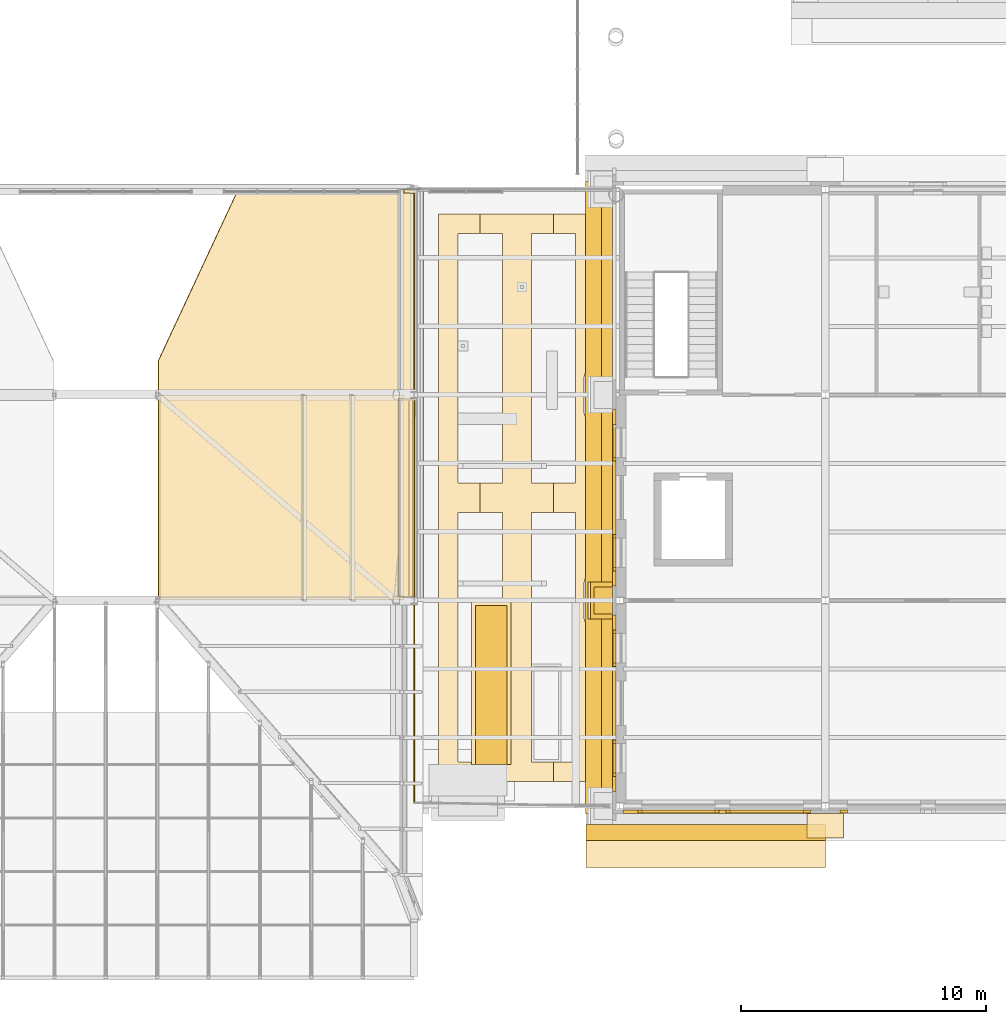
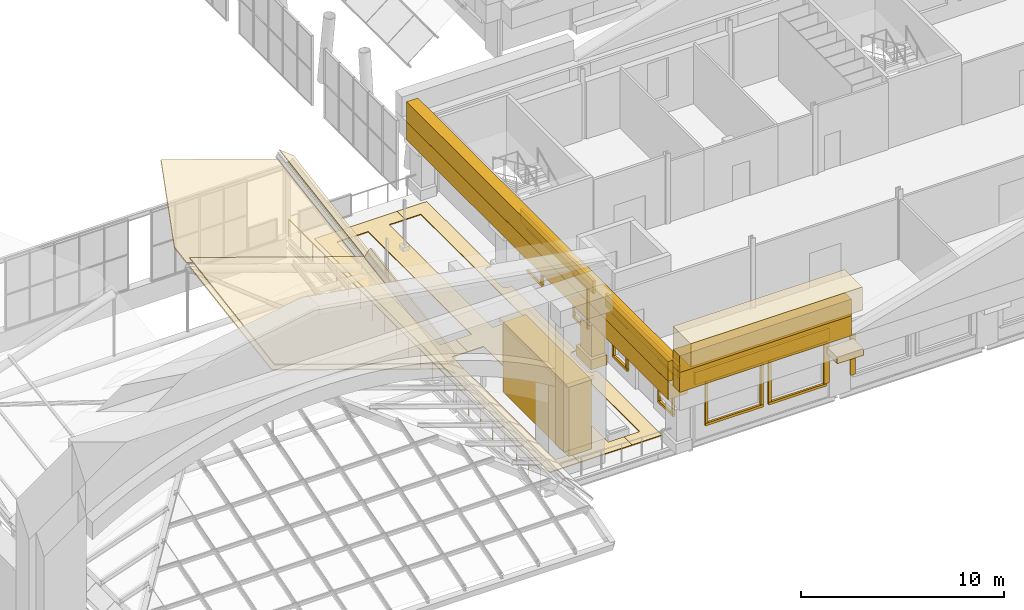
# One storey, part 59 of 76: 49 coverings, 1 railing.
"""IFC4 building model written with IfcOpenShell, lengths in metres."""

from ifc_helpers import new_model, si_unit, direction, frame, origin, origin_2d, place, context, subcontext, project, spatial, polyline, rectangle, circle, outline, extrude, material, layer, layer_set, material_profile, profile_set, type_object, element, save


model = new_model("IFC4")

# Units and contexts
model_context = context("Model", 3, precision=1e-05, world=origin(), true_north=direction((0.0, 1.0)))
body_context = subcontext(model_context, "Body", "Model", "MODEL_VIEW")
ifc_project = project(units=[si_unit("LENGTHUNIT", "METRE"), si_unit("AREAUNIT", "SQUARE_METRE"), si_unit("VOLUMEUNIT", "CUBIC_METRE"), si_unit("PLANEANGLEUNIT", "RADIAN"), si_unit("MASSUNIT", "GRAM", prefix="KILO")], contexts=[model_context])

# Site, building, storey
site_placement = place(None, origin())
site = spatial("IfcSite", under=ifc_project, at=site_placement, CompositionType="ELEMENT")
building_placement = place(site_placement, origin())
building = spatial("IfcBuilding", under=site, at=building_placement, Name="Sava Quay Ferry Terminal", CompositionType="ELEMENT")
storey_placement = place(building_placement, frame((0.0, 0.0, 10.800048828125)))
storey = spatial("IfcBuildingStorey", under=building, at=storey_placement, Name="L02", CompositionType="ELEMENT", Elevation=10.800048828125)

# Coverings
ifc_material_1 = material(Name="Limestone Mutalj", Category="masonry")
ifc_layer_1 = layer(ifc_material_1, 1.75)
ifc_layer_set_1 = layer_set([ifc_layer_1], Name="Limestone Mutalj")
covering_type_1 = type_object("IfcCoveringType", Name="Attic crown cornice 1400", PredefinedType="MOLDING", material=ifc_layer_set_1)
covering_1_placement = place(storey_placement, frame((87.510009765625, 23.56494140625, 6.39990234375), z_axis=(0.0, 0.0, 1.0), x_axis=(1.0, 0.0, 0.0)))
element("IfcCovering", 1, at=covering_1_placement, inside=storey, type_object=covering_type_1, Name="Attic crown cornice", PredefinedType="MOLDING", context=body_context, shape_type="SweptSolid", body=[
    extrude(rectangle(XDim=9.780029296875, YDim=1.75, at=origin_2d()), origin(), (0.0, 0.0, 1.0), 1.39990234375),
])
ifc_material_2 = material(Name="Limestone Mutalj", Category="masonry")
ifc_layer_2 = layer(ifc_material_2, 0.64990234375)
ifc_layer_set_2 = layer_set([ifc_layer_2], Name="Limestone Mutalj")
covering_type_2 = type_object("IfcCoveringType", Name="Attic frieze 1000", PredefinedType="CLADDING", material=ifc_layer_set_2)
covering_2_placement = place(storey_placement, frame((87.510009765625, 24.114990234375, 5.39990234375), z_axis=(0.0, 0.0, 1.0), x_axis=(1.0, 0.0, 0.0)))
element("IfcCovering", 2, at=covering_2_placement, inside=storey, type_object=covering_type_2, Name="Attic frieze", PredefinedType="CLADDING", context=body_context, shape_type="SweptSolid", body=[
    extrude(rectangle(XDim=9.780029296875, YDim=0.64990234375, at=origin_2d()), origin(), (0.0, 0.0, 1.0), 1.0),
])
ifc_material_3 = material(Name="Limestone Mutalj", Category="masonry")
ifc_layer_3 = layer(ifc_material_3, 0.64990234375)
ifc_layer_set_3 = layer_set([ifc_layer_3], Name="Limestone Mutalj")
covering_type_3 = type_object("IfcCoveringType", Name="Attic parapet 650", PredefinedType="MOLDING", material=ifc_layer_set_3)
covering_3_placement = place(storey_placement, frame((87.510009765625, 24.114990234375, 4.2001953125), z_axis=(0.0, 0.0, 1.0), x_axis=(1.0, 0.0, 0.0)))
element("IfcCovering", 3, at=covering_3_placement, inside=storey, type_object=covering_type_3, Name="Attic parapet P S", PredefinedType="MOLDING", context=body_context, shape_type="SweptSolid", body=[
    extrude(rectangle(XDim=9.780029296875, YDim=0.64990234375, at=origin_2d()), origin(), (0.0, 0.0, 1.0), 1.199951171875),
])
covering_4_placement = place(storey_placement, frame((82.925048828125, 37.800048828125, 4.2001953125), z_axis=(0.0, 0.0, 1.0), x_axis=(1.0, 0.0, 0.0)))
element("IfcCovering", 4, at=covering_4_placement, inside=storey, type_object=covering_type_3, Name="Attic parapet P W", PredefinedType="MOLDING", context=body_context, shape_type="SweptSolid", body=[
    extrude(rectangle(XDim=0.64990234375, YDim=25.820068359375, at=origin_2d()), origin(), (0.0, 0.0, 1.0), 1.199951171875),
])
ifc_material_4 = material(Name="Steel S355", Category="steel")
ifc_material_profile = material_profile(ifc_material_4, rectangle(XDim=0.14990234375, YDim=0.60009765625, at=origin_2d()), Name="Cap 150 x 600")
ifc_profile_set = profile_set([ifc_material_profile], Name="Steel S355")
covering_type_4 = type_object("IfcCoveringType", Name="Crease capping 150x600", PredefinedType="MOLDING", material=ifc_profile_set)
covering_5_placement = place(storey_placement, frame((75.31689453125, 33.468017578125, 2.858642578125), z_axis=(0.0, 0.987350755247, 0.158551209752), x_axis=(-0.881207713377, -0.074951798175, 0.466749605072)))
element("IfcCovering", 5, at=covering_5_placement, inside=storey, type_object=covering_type_4, Name="Arrivals hall crease capping bay 1 crease 4", PredefinedType="MOLDING", context=body_context, shape_type="SweptSolid", body=[
    extrude(rectangle(XDim=0.14990234375, YDim=0.60009765625, at=origin_2d()), origin(), (0.0, 0.0, 1.0), 8.507568359375),
])
ifc_material_5 = material(Name="Limestone Mutalj", Category="masonry")
ifc_layer_4 = layer(ifc_material_5, 1.10009765625)
ifc_layer_set_4 = layer_set([ifc_layer_4], Name="Limestone Mutalj")
covering_type_5 = type_object("IfcCoveringType", Name="Eaves cornice 1100", PredefinedType="MOLDING", material=ifc_layer_set_4)
covering_6_placement = place(storey_placement, frame((83.14990234375, 37.800048828125, 3.099853515625), z_axis=(0.0, 0.0, 1.0), x_axis=(1.0, 0.0, 0.0)))
element("IfcCovering", 6, at=covering_6_placement, inside=storey, type_object=covering_type_5, Name="Eaves cornice P W", PredefinedType="MOLDING", context=body_context, shape_type="SweptSolid", body=[
    extrude(rectangle(XDim=1.10009765625, YDim=25.820068359375, at=origin_2d()), origin(), (0.0, 0.0, 1.0), 1.10009765625),
])

# Railing
ifc_material_6 = material(Name="Steel S355", Category="steel")
railing_type = type_object("IfcRailingType", Name="Edge guard 1100", PredefinedType="GUARDRAIL", material=ifc_material_6)
railing_placement = place(storey_placement, frame((75.60009765625, 25.340087890625, 0.0)))
element("IfcRailing", 7, at=railing_placement, inside=storey, type_object=railing_type, Name="Terrace edge guard", PredefinedType="GUARDRAIL", context=body_context, shape_type="SweptSolid", body=[
    extrude(circle(Radius=0.02392578125, at=origin_2d()), frame((0.0, 0.0, 1.076171875), z_axis=(0.0, 1.0, 0.0), x_axis=(-1.0, 0.0, 0.0)), (0.0, 0.0, 1.0), 24.869873046875),
    extrude(circle(Radius=0.02099609375, at=origin_2d()), origin(), (0.0, 0.0, 1.0), 1.052001953125),
    extrude(circle(Radius=0.02099609375, at=origin_2d()), frame((0.0, 1.184326171875, 0.0)), (0.0, 0.0, 1.0), 1.052001953125),
    extrude(circle(Radius=0.02099609375, at=origin_2d()), frame((0.0, 2.36865234375, 0.0)), (0.0, 0.0, 1.0), 1.052001953125),
    extrude(circle(Radius=0.02099609375, at=origin_2d()), frame((0.0, 3.552734375, 0.0)), (0.0, 0.0, 1.0), 1.052001953125),
    extrude(circle(Radius=0.02099609375, at=origin_2d()), frame((0.0, 4.737060546875, 0.0)), (0.0, 0.0, 1.0), 1.052001953125),
    extrude(circle(Radius=0.02099609375, at=origin_2d()), frame((0.0, 5.92138671875, 0.0)), (0.0, 0.0, 1.0), 1.052001953125),
    extrude(circle(Radius=0.02099609375, at=origin_2d()), frame((0.0, 7.105712890625, 0.0)), (0.0, 0.0, 1.0), 1.052001953125),
    extrude(circle(Radius=0.02099609375, at=origin_2d()), frame((0.0, 8.2900390625, 0.0)), (0.0, 0.0, 1.0), 1.052001953125),
    extrude(circle(Radius=0.02099609375, at=origin_2d()), frame((0.0, 9.47412109375, 0.0)), (0.0, 0.0, 1.0), 1.052001953125),
    extrude(circle(Radius=0.02099609375, at=origin_2d()), frame((0.0, 10.658447265625, 0.0)), (0.0, 0.0, 1.0), 1.052001953125),
    extrude(circle(Radius=0.02099609375, at=origin_2d()), frame((0.0, 11.8427734375, 0.0)), (0.0, 0.0, 1.0), 1.052001953125),
    extrude(circle(Radius=0.02099609375, at=origin_2d()), frame((0.0, 13.027099609375, 0.0)), (0.0, 0.0, 1.0), 1.052001953125),
    extrude(circle(Radius=0.02099609375, at=origin_2d()), frame((0.0, 14.21142578125, 0.0)), (0.0, 0.0, 1.0), 1.052001953125),
    extrude(circle(Radius=0.02099609375, at=origin_2d()), frame((0.0, 15.395751953125, 0.0)), (0.0, 0.0, 1.0), 1.052001953125),
    extrude(circle(Radius=0.02099609375, at=origin_2d()), frame((0.0, 16.579833984375, 0.0)), (0.0, 0.0, 1.0), 1.052001953125),
    extrude(circle(Radius=0.02099609375, at=origin_2d()), frame((0.0, 17.76416015625, 0.0)), (0.0, 0.0, 1.0), 1.052001953125),
    extrude(circle(Radius=0.02099609375, at=origin_2d()), frame((0.0, 18.948486328125, 0.0)), (0.0, 0.0, 1.0), 1.052001953125),
    extrude(circle(Radius=0.02099609375, at=origin_2d()), frame((0.0, 20.1328125, 0.0)), (0.0, 0.0, 1.0), 1.052001953125),
    extrude(circle(Radius=0.02099609375, at=origin_2d()), frame((0.0, 21.317138671875, 0.0)), (0.0, 0.0, 1.0), 1.052001953125),
    extrude(circle(Radius=0.02099609375, at=origin_2d()), frame((0.0, 22.501220703125, 0.0)), (0.0, 0.0, 1.0), 1.052001953125),
    extrude(circle(Radius=0.02099609375, at=origin_2d()), frame((0.0, 23.685546875, 0.0)), (0.0, 0.0, 1.0), 1.052001953125),
    extrude(circle(Radius=0.02099609375, at=origin_2d()), frame((0.0, 24.869873046875, 0.0)), (0.0, 0.0, 1.0), 1.052001953125),
])

# Coverings
ifc_material_7 = material(Name="Limestone Mutalj", Category="masonry")
ifc_layer_5 = layer(ifc_material_7, 0.25)
ifc_layer_set_5 = layer_set([ifc_layer_5], Name="Limestone Mutalj")
covering_type_6 = type_object("IfcCoveringType", Name="Frontispiece return coping 1600", PredefinedType="MOLDING", material=ifc_layer_set_5)
covering_7_placement = place(storey_placement, frame((78.75, 30.22509765625, 4.199951171875), z_axis=(0.0, 0.0, 1.0), x_axis=(1.0, 0.0, 0.0)))
element("IfcCovering", 8, at=covering_7_placement, inside=storey, type_object=covering_type_6, Name="Frontispiece return coping", PredefinedType="MOLDING", context=body_context, shape_type="SweptSolid", body=[
    extrude(rectangle(XDim=1.60009765625, YDim=6.64990234375, at=origin_2d()), origin(), (0.0, 0.0, 1.0), 0.25),
])
ifc_material_8 = material(Name="Limestone Mutalj", Category="masonry")
ifc_layer_6 = layer(ifc_material_8, 1.300048828125)
ifc_layer_set_6 = layer_set([ifc_layer_6], Name="Limestone Mutalj")
covering_type_7 = type_object("IfcCoveringType", Name="Frontispiece return wall 1300", PredefinedType="CLADDING", material=ifc_layer_set_6)
covering_8_placement = place(storey_placement, frame((78.75, 30.14990234375, 0.0), z_axis=(0.0, 0.0, 1.0), x_axis=(1.0, 0.0, 0.0)))
element("IfcCovering", 9, at=covering_8_placement, inside=storey, type_object=covering_type_7, Name="Frontispiece return wall", PredefinedType="CLADDING", context=body_context, shape_type="SweptSolid", body=[
    extrude(rectangle(XDim=1.300048828125, YDim=6.5, at=origin_2d()), origin(), (0.0, 0.0, 1.0), 4.199951171875),
])
ifc_material_9 = material(Name="Limestone Mutalj", Category="masonry")
ifc_layer_7 = layer(ifc_material_9, 0.89990234375)
ifc_layer_set_7 = layer_set([ifc_layer_7], Name="Limestone Mutalj")
covering_type_8 = type_object("IfcCoveringType", Name="Giant-order pilaster base 1500", PredefinedType="MOLDING", material=ifc_layer_set_7)
covering_9_placement = place(storey_placement, frame((83.25, 33.60009765625, 0.0), z_axis=(0.0, 0.0, 1.0), x_axis=(1.0, 0.0, 0.0)))
element("IfcCovering", 10, at=covering_9_placement, inside=storey, type_object=covering_type_8, Name="Giant-order pilaster base", PredefinedType="MOLDING", context=body_context, shape_type="SweptSolid", body=[
    extrude(rectangle(XDim=0.89990234375, YDim=1.5, at=origin_2d()), origin(), (0.0, 0.0, 1.0), 0.60009765625),
])
ifc_material_10 = material(Name="Limestone Mutalj", Category="masonry")
ifc_layer_8 = layer(ifc_material_10, 0.75)
ifc_layer_set_8 = layer_set([ifc_layer_8], Name="Limestone Mutalj")
covering_type_9 = type_object("IfcCoveringType", Name="Giant-order pilaster shaft 1100", PredefinedType="CLADDING", material=ifc_layer_set_8)
covering_10_placement = place(storey_placement, frame((83.324951171875, 33.60009765625, 0.599853515625), z_axis=(0.0, 0.0, 1.0), x_axis=(1.0, 0.0, 0.0)))
element("IfcCovering", 11, at=covering_10_placement, inside=storey, type_object=covering_type_9, Name="Giant-order pilaster", PredefinedType="CLADDING", context=body_context, shape_type="SweptSolid", body=[
    extrude(rectangle(XDim=0.75, YDim=1.10009765625, at=origin_2d()), origin(), (0.0, 0.0, 1.0), 2.10009765625),
])
ifc_material_11 = material(Name="Glulam GL28h", Category="wood")
ifc_layer_9 = layer(ifc_material_11, 0.06005859375)
ifc_layer_set_9 = layer_set([ifc_layer_9], Name="Glulam GL28h")
covering_type_10 = type_object("IfcCoveringType", Name="Glulam soffit lining 60", PredefinedType="CEILING", material=ifc_layer_set_9)
covering_11_placement = place(storey_placement, frame((65.147216796875, 33.758056640625, 5.65380859375), z_axis=(0.321874988723, -0.150121542758, 0.934804799963), x_axis=(-4.486034e-06, 0.987349142406, 0.158561253052)))
element("IfcCovering", 12, at=covering_11_placement, inside=storey, type_object=covering_type_10, Name="Arrivals hall timber soffit lining bay 1 facet 4", PredefinedType="CEILING", context=body_context, shape_type="SweptSolid", body=[
    extrude(outline(polyline([(0.0, 0.0), (8.187581432394515, -5.551115123125783e-17), (7.651231800830863, -10.374918818149494), (-0.5363109203202302, -10.37484122969231), (0.0, 0.0)])), origin(), (0.0, 0.0, -1.0), 0.06005859375),
])
covering_12_placement = place(storey_placement, frame((74.9873046875, 33.758056640625, 2.26220703125), z_axis=(0.610789753169, -0.125557978365, 0.781774309819), x_axis=(0.0, 0.987347050037, 0.158574281593)))
element("IfcCovering", 13, at=covering_12_placement, inside=storey, type_object=covering_type_10, Name="Arrivals hall timber soffit lining bay 1 facet 5", PredefinedType="CEILING", context=body_context, shape_type="SweptSolid", body=[
    extrude(outline(polyline([(0.0, 0.0), (8.187581433189713, 0.0), (8.109997727058897, -0.7908895906873864), (-0.07758370613081611, -0.7908895906873865), (0.0, 0.0)])), origin(), (0.0, 0.0, -1.0), 0.06005859375),
])
covering_13_placement = place(storey_placement, frame((65.147216796875, 43.385986328125, 7.199951171875), z_axis=(0.321884137241, -0.150018110031, 0.934818254451), x_axis=(0.422436488802, 0.90639252696, -3.32574e-07)))
element("IfcCovering", 14, at=covering_13_placement, inside=storey, type_object=covering_type_10, Name="Arrivals hall timber soffit lining bay 2 facet 4 (lower part)", PredefinedType="CEILING", context=body_context, shape_type="SweptSolid", body=[
    extrude(outline(polyline([(0.0, 0.0), (7.564004811407468, 0.0), (10.36367864773182, -6.425904588177291), (3.0364160536410063, -10.079009806072362), (-1.1130747417531186, -0.5549173265987408), (0.0, 0.0)])), origin(), (0.0, 0.0, -1.0), 0.06005859375),
])
covering_14_placement = place(storey_placement, frame((74.9873046875, 42.157958984375, 3.611328125), z_axis=(0.610702344243, -0.125465083878, 0.781857505856), x_axis=(7.119047e-06, 0.987368920411, 0.158438047689)))
element("IfcCovering", 15, at=covering_14_placement, inside=storey, type_object=covering_type_10, Name="Arrivals hall timber soffit lining bay 2 facet 5", PredefinedType="CEILING", context=body_context, shape_type="SweptSolid", body=[
    extrude(outline(polyline([(0.0, 0.0), (8.187387949224759, -1.1102230246251565e-16), (8.109914035854457, -0.790749343307368), (-0.07751259453428681, -0.7908965575181881), (0.0, 0.0)])), origin(), (0.0, 0.0, -1.0), 0.06005859375),
])
ifc_material_12 = material(Name="Limestone Mutalj", Category="masonry")
ifc_layer_10 = layer(ifc_material_12, 0.14990234375)
ifc_layer_set_10 = layer_set([ifc_layer_10], Name="Limestone Mutalj")
covering_type_11 = type_object("IfcCoveringType", Name="Limestone string course 150", PredefinedType="CLADDING", material=ifc_layer_set_10)
covering_15_placement = place(storey_placement, frame((0.0, 0.0, 3.449951171875)))
element("IfcCovering", 16, at=covering_15_placement, inside=storey, type_object=covering_type_11, Name="String course P-S", PredefinedType="CLADDING", context=body_context, shape_type="SweptSolid", body=[
    extrude(outline(polyline([(84.1298828125, 25.0400390625), (91.800048828125, 25.0400390625), (91.800048828125, 24.889892578125), (84.1298828125, 24.889892578125), (84.1298828125, 25.0400390625)])), origin(), (0.0, 0.0, 1.0), 0.75),
])
covering_16_placement = place(storey_placement, frame((0.0, 0.0, 3.449951171875)))
element("IfcCovering", 17, at=covering_16_placement, inside=storey, type_object=covering_type_11, Name="String course P-W", PredefinedType="CLADDING", context=body_context, shape_type="SweptSolid", body=[
    extrude(outline(polyline([(83.85009765625, 25.800048828125), (83.85009765625, 33.0), (83.699951171875, 33.0), (83.699951171875, 25.800048828125), (83.85009765625, 25.800048828125)])), origin(), (0.0, 0.0, 1.0), 0.75),
])
covering_17_placement = place(storey_placement, frame((0.0, 0.0, 3.449951171875)))
element("IfcCovering", 18, at=covering_17_placement, inside=storey, type_object=covering_type_11, Name="String course P-W", PredefinedType="CLADDING", context=body_context, shape_type="SweptSolid", body=[
    extrude(outline(polyline([(83.85009765625, 34.199951171875), (83.85009765625, 41.39990234375), (83.699951171875, 41.39990234375), (83.699951171875, 34.199951171875), (83.85009765625, 34.199951171875)])), origin(), (0.0, 0.0, 1.0), 0.75),
])
ifc_material_13 = material(Name="Limestone Mutalj", Category="masonry")
ifc_layer_11 = layer(ifc_material_13, 1.0)
ifc_layer_set_11 = layer_set([ifc_layer_11], Name="Limestone Mutalj")
covering_type_12 = type_object("IfcCoveringType", Name="Pilaster capital block 1500", PredefinedType="MOLDING", material=ifc_layer_set_11)
covering_18_placement = place(storey_placement, frame((92.39990234375, 24.389892578125, 2.699951171875), z_axis=(0.0, 0.0, 1.0), x_axis=(1.0, 0.0, 0.0)))
element("IfcCovering", 19, at=covering_18_placement, inside=storey, type_object=covering_type_12, Name="Giant-order capital", PredefinedType="MOLDING", context=body_context, shape_type="SweptSolid", body=[
    extrude(rectangle(XDim=1.5, YDim=1.0, at=origin_2d()), origin(), (0.0, 0.0, 1.0), 0.39990234375),
])
covering_19_placement = place(storey_placement, frame((83.199951171875, 33.60009765625, 2.699951171875), z_axis=(0.0, 0.0, 1.0), x_axis=(1.0, 0.0, 0.0)))
element("IfcCovering", 20, at=covering_19_placement, inside=storey, type_object=covering_type_12, Name="Giant-order capital", PredefinedType="MOLDING", context=body_context, shape_type="SweptSolid", body=[
    extrude(rectangle(XDim=1.0, YDim=1.5, at=origin_2d()), origin(), (0.0, 0.0, 1.0), 0.39990234375),
])
ifc_material_14 = material(Name="Limestone Mutalj", Category="masonry")
ifc_layer_12 = layer(ifc_material_14, 0.1201171875)
ifc_layer_set_12 = layer_set([ifc_layer_12], Name="Limestone Mutalj")
covering_type_13 = type_object("IfcCoveringType", Name="Plain window architrave 150", PredefinedType="MOLDING", material=ifc_layer_set_12)
for number, where, z_axis, x_axis, name in (
    (21, (84.824951171875, 24.97998046875, 0.89990234375), (0.0, 0.0, 1.0), (1.0, 0.0, 0.0), "Plain window architrave"),
    (22, (87.97509765625, 24.97998046875, 0.89990234375), (0.0, 0.0, 1.0), (1.0, 0.0, 0.0), "Plain window architrave"),
):
    element("IfcCovering", number, at=place(storey_placement, frame(where, z_axis=z_axis, x_axis=x_axis)), inside=storey, type_object=covering_type_13, Name=name, PredefinedType="MOLDING", context=body_context, shape_type="SweptSolid", body=[
        extrude(rectangle(XDim=0.14990234375, YDim=0.1201171875, at=origin_2d()), origin(), (0.0, 0.0, 1.0), 2.39990234375),
    ])
for number, where, z_axis, x_axis, name in (
    (23, (86.39990234375, 24.97998046875, 3.300048828125), (0.0, 0.0, 1.0), (1.0, 0.0, 0.0), "Plain window architrave"),
    (24, (86.39990234375, 24.97998046875, 0.75), (0.0, 0.0, 1.0), (1.0, 0.0, 0.0), "Plain window architrave"),
):
    element("IfcCovering", number, at=place(storey_placement, frame(where, z_axis=z_axis, x_axis=x_axis)), inside=storey, type_object=covering_type_13, Name=name, PredefinedType="MOLDING", context=body_context, shape_type="SweptSolid", body=[
        extrude(rectangle(XDim=3.300048828125, YDim=0.1201171875, at=origin_2d()), origin(), (0.0, 0.0, 1.0), 0.14990234375),
    ])
covering_20_placement = place(storey_placement, frame((88.425048828125, 24.97998046875, 0.89990234375), z_axis=(0.0, 0.0, 1.0), x_axis=(1.0, 0.0, 0.0)))
element("IfcCovering", 25, at=covering_20_placement, inside=storey, type_object=covering_type_13, Name="Plain window architrave", PredefinedType="MOLDING", context=body_context, shape_type="SweptSolid", body=[
    extrude(rectangle(XDim=0.14990234375, YDim=0.1201171875, at=origin_2d()), origin(), (0.0, 0.0, 1.0), 2.39990234375),
])
covering_21_placement = place(storey_placement, frame((91.64990234375, 24.97998046875, 0.89990234375), z_axis=(0.0, 0.0, 1.0), x_axis=(1.0, 0.0, 0.0)))
element("IfcCovering", 26, at=covering_21_placement, inside=storey, type_object=covering_type_13, Name="Plain window architrave", PredefinedType="MOLDING", context=body_context, shape_type="SweptSolid", body=[
    extrude(rectangle(XDim=0.300048828125, YDim=0.1201171875, at=origin_2d()), origin(), (0.0, 0.0, 1.0), 2.39990234375),
])
for number, where, z_axis, x_axis, name in (
    (27, (90.0, 24.97998046875, 3.300048828125), (0.0, 0.0, 1.0), (1.0, 0.0, 0.0), "Plain window architrave"),
    (28, (90.0, 24.97998046875, 0.75), (0.0, 0.0, 1.0), (1.0, 0.0, 0.0), "Plain window architrave"),
):
    element("IfcCovering", number, at=place(storey_placement, frame(where, z_axis=z_axis, x_axis=x_axis)), inside=storey, type_object=covering_type_13, Name=name, PredefinedType="MOLDING", context=body_context, shape_type="SweptSolid", body=[
        extrude(rectangle(XDim=3.300048828125, YDim=0.1201171875, at=origin_2d()), origin(), (0.0, 0.0, 1.0), 0.14990234375),
    ])
covering_22_placement = place(storey_placement, frame((93.14990234375, 24.97998046875, 0.89990234375), z_axis=(0.0, 0.0, 1.0), x_axis=(1.0, 0.0, 0.0)))
element("IfcCovering", 29, at=covering_22_placement, inside=storey, type_object=covering_type_13, Name="Plain window architrave", PredefinedType="MOLDING", context=body_context, shape_type="SweptSolid", body=[
    extrude(rectangle(XDim=0.300048828125, YDim=0.1201171875, at=origin_2d()), origin(), (0.0, 0.0, 1.0), 2.39990234375),
])
for number, where, z_axis, x_axis, name in (
    (30, (83.7900390625, 26.47509765625, 0.89990234375), (0.0, 0.0, 1.0), (1.0, 0.0, 0.0), "Plain window architrave"),
    (31, (83.7900390625, 27.824951171875, 0.89990234375), (0.0, 0.0, 1.0), (1.0, 0.0, 0.0), "Plain window architrave"),
):
    element("IfcCovering", number, at=place(storey_placement, frame(where, z_axis=z_axis, x_axis=x_axis)), inside=storey, type_object=covering_type_13, Name=name, PredefinedType="MOLDING", context=body_context, shape_type="SweptSolid", body=[
        extrude(rectangle(XDim=0.1201171875, YDim=0.14990234375, at=origin_2d()), origin(), (0.0, 0.0, 1.0), 2.39990234375),
    ])
for number, where, z_axis, x_axis, name in (
    (32, (83.7900390625, 27.14990234375, 3.300048828125), (0.0, 0.0, 1.0), (1.0, 0.0, 0.0), "Plain window architrave"),
    (33, (83.7900390625, 27.14990234375, 0.75), (0.0, 0.0, 1.0), (1.0, 0.0, 0.0), "Plain window architrave"),
):
    element("IfcCovering", number, at=place(storey_placement, frame(where, z_axis=z_axis, x_axis=x_axis)), inside=storey, type_object=covering_type_13, Name=name, PredefinedType="MOLDING", context=body_context, shape_type="SweptSolid", body=[
        extrude(rectangle(XDim=0.1201171875, YDim=1.5, at=origin_2d()), origin(), (0.0, 0.0, 1.0), 0.14990234375),
    ])
for number, where, z_axis, x_axis, name in (
    (34, (83.7900390625, 30.97509765625, 0.89990234375), (0.0, 0.0, 1.0), (1.0, 0.0, 0.0), "Plain window architrave"),
    (35, (83.7900390625, 32.324951171875, 0.89990234375), (0.0, 0.0, 1.0), (1.0, 0.0, 0.0), "Plain window architrave"),
):
    element("IfcCovering", number, at=place(storey_placement, frame(where, z_axis=z_axis, x_axis=x_axis)), inside=storey, type_object=covering_type_13, Name=name, PredefinedType="MOLDING", context=body_context, shape_type="SweptSolid", body=[
        extrude(rectangle(XDim=0.1201171875, YDim=0.14990234375, at=origin_2d()), origin(), (0.0, 0.0, 1.0), 2.39990234375),
    ])
for number, where, z_axis, x_axis, name in (
    (36, (83.7900390625, 31.64990234375, 3.300048828125), (0.0, 0.0, 1.0), (1.0, 0.0, 0.0), "Plain window architrave"),
    (37, (83.7900390625, 31.64990234375, 0.75), (0.0, 0.0, 1.0), (1.0, 0.0, 0.0), "Plain window architrave"),
):
    element("IfcCovering", number, at=place(storey_placement, frame(where, z_axis=z_axis, x_axis=x_axis)), inside=storey, type_object=covering_type_13, Name=name, PredefinedType="MOLDING", context=body_context, shape_type="SweptSolid", body=[
        extrude(rectangle(XDim=0.1201171875, YDim=1.5, at=origin_2d()), origin(), (0.0, 0.0, 1.0), 0.14990234375),
    ])
for number, where, z_axis, x_axis, name in (
    (38, (83.7900390625, 34.875, 0.89990234375), (0.0, 0.0, 1.0), (1.0, 0.0, 0.0), "Plain window architrave"),
    (39, (83.7900390625, 36.22509765625, 0.89990234375), (0.0, 0.0, 1.0), (1.0, 0.0, 0.0), "Plain window architrave"),
):
    element("IfcCovering", number, at=place(storey_placement, frame(where, z_axis=z_axis, x_axis=x_axis)), inside=storey, type_object=covering_type_13, Name=name, PredefinedType="MOLDING", context=body_context, shape_type="SweptSolid", body=[
        extrude(rectangle(XDim=0.1201171875, YDim=0.14990234375, at=origin_2d()), origin(), (0.0, 0.0, 1.0), 2.39990234375),
    ])
for number, where, z_axis, x_axis, name in (
    (40, (83.7900390625, 35.550048828125, 3.300048828125), (0.0, 0.0, 1.0), (1.0, 0.0, 0.0), "Plain window architrave"),
    (41, (83.7900390625, 35.550048828125, 0.75), (0.0, 0.0, 1.0), (1.0, 0.0, 0.0), "Plain window architrave"),
):
    element("IfcCovering", number, at=place(storey_placement, frame(where, z_axis=z_axis, x_axis=x_axis)), inside=storey, type_object=covering_type_13, Name=name, PredefinedType="MOLDING", context=body_context, shape_type="SweptSolid", body=[
        extrude(rectangle(XDim=0.1201171875, YDim=1.5, at=origin_2d()), origin(), (0.0, 0.0, 1.0), 0.14990234375),
    ])
covering_23_placement = place(storey_placement, frame((83.7900390625, 39.375, 0.89990234375), z_axis=(0.0, 0.0, 1.0), x_axis=(1.0, 0.0, 0.0)))
element("IfcCovering", 42, at=covering_23_placement, inside=storey, type_object=covering_type_13, Name="Plain window architrave", PredefinedType="MOLDING", context=body_context, shape_type="SweptSolid", body=[
    extrude(rectangle(XDim=0.1201171875, YDim=0.14990234375, at=origin_2d()), origin(), (0.0, 0.0, 1.0), 2.39990234375),
])
for number, where, z_axis, x_axis, name in (
    (43, (83.7900390625, 40.050048828125, 3.300048828125), (0.0, 0.0, 1.0), (1.0, 0.0, 0.0), "Plain window architrave"),
    (44, (83.7900390625, 40.050048828125, 0.75), (0.0, 0.0, 1.0), (1.0, 0.0, 0.0), "Plain window architrave"),
):
    element("IfcCovering", number, at=place(storey_placement, frame(where, z_axis=z_axis, x_axis=x_axis)), inside=storey, type_object=covering_type_13, Name=name, PredefinedType="MOLDING", context=body_context, shape_type="SweptSolid", body=[
        extrude(rectangle(XDim=0.1201171875, YDim=1.5, at=origin_2d()), origin(), (0.0, 0.0, 1.0), 0.14990234375),
    ])
ifc_material_15 = material(Name="Zinc standing seam sheet")
ifc_layer_13 = layer(ifc_material_15, 0.0400390625)
ifc_layer_set_13 = layer_set([ifc_layer_13], Name="Zinc standing seam sheet")
covering_type_14 = type_object("IfcCoveringType", Name="Standing seam roofing 40", PredefinedType="ROOFING", material=ifc_layer_set_13)
covering_24_placement = place(storey_placement, frame((65.215087890625, 33.610107421875, 6.04541015625), z_axis=(0.321876025218, -0.150117857826, 0.934805034834), x_axis=(0.0, 0.987349999784, 0.158555914194)))
element("IfcCovering", 45, at=covering_24_placement, inside=storey, type_object=covering_type_14, Name="Arrivals hall roofing bay 1 facet 4", PredefinedType="ROOFING", context=body_context, shape_type="SweptSolid", body=[
    extrude(outline(polyline([(0.0, 0.0), (8.487246482332635, -5.551115123125783e-17), (7.943952474588664, -10.510780574283412), (-0.5432940077439705, -10.510780574283412), (0.0, 0.0)])), origin(), (0.0, 0.0, -1.0), 0.0400390625),
])
covering_25_placement = place(storey_placement, frame((75.183837890625, 33.610107421875, 2.609375), z_axis=(0.610744003619, -0.125560132843, 0.781809705161), x_axis=(-6.867545e-06, 0.987346908079, 0.15857516533)))
element("IfcCovering", 46, at=covering_25_placement, inside=storey, type_object=covering_type_14, Name="Arrivals hall roofing bay 1 facet 5", PredefinedType="ROOFING", context=body_context, shape_type="SweptSolid", body=[
    extrude(outline(polyline([(0.0, 0.0), (8.487285195159188, -3.3306690738754696e-16), (8.388363807392784, -1.0082964183527727), (-0.09888267312643159, -1.0081491978104602), (0.0, 0.0)])), origin(), (0.0, 0.0, -1.0), 0.0400390625),
])
covering_26_placement = place(storey_placement, frame((75.183837890625, 42.010009765625, 3.95849609375), z_axis=(0.610826804577, -0.125450088834, 0.781762681395), x_axis=(0.0, 0.987368006772, 0.158443741443)))
element("IfcCovering", 47, at=covering_26_placement, inside=storey, type_object=covering_type_14, Name="Arrivals hall roofing bay 2 facet 5", PredefinedType="ROOFING", context=body_context, shape_type="SweptSolid", body=[
    extrude(outline(polyline([(0.0, 0.0), (8.487091697344031, 0.0), (8.388257771712253, -1.008304999726202), (-0.09883392563177865, -1.008304999726202), (0.0, 0.0)])), origin(), (0.0, 0.0, -1.0), 0.0400390625),
])
ifc_material_16 = material(Name="Limestone Mutalj", Category="masonry")
ifc_layer_14 = layer(ifc_material_16, 0.050048828125)
ifc_layer_set_14 = layer_set([ifc_layer_14], Name="Limestone Mutalj")
covering_type_15 = type_object("IfcCoveringType", Name="Stone paving band 50", PredefinedType="FLOORING", material=ifc_layer_set_14)
covering_27_placement = place(storey_placement, origin())
element("IfcCovering", 48, at=covering_27_placement, inside=storey, type_object=covering_type_15, Name="Stone paving band", PredefinedType="FLOORING", context=body_context, shape_type="SweptSolid", body=[
    extrude(outline(polyline([(76.60009765625, 26.199951171875), (78.300048828125, 26.199951171875), (78.300048828125, 27.0), (77.39990234375, 27.0), (77.39990234375, 37.199951171875), (78.300048828125, 37.199951171875), (78.300048828125, 38.39990234375), (77.39990234375, 38.39990234375), (77.39990234375, 48.60009765625), (78.300048828125, 48.60009765625), (78.300048828125, 49.39990234375), (76.60009765625, 49.39990234375), (76.60009765625, 26.199951171875)])), origin(), (0.0, 0.0, 1.0), 0.050048828125),
])
covering_28_placement = place(storey_placement, origin())
element("IfcCovering", 49, at=covering_28_placement, inside=storey, type_object=covering_type_15, Name="Stone paving band", PredefinedType="FLOORING", context=body_context, shape_type="SweptSolid", body=[
    extrude(outline(polyline([(78.300048828125, 49.39990234375), (78.300048828125, 48.60009765625), (79.199951171875, 48.60009765625), (79.199951171875, 38.39990234375), (78.300048828125, 38.39990234375), (78.300048828125, 37.199951171875), (79.199951171875, 37.199951171875), (79.199951171875, 27.0), (78.300048828125, 27.0), (78.300048828125, 26.199951171875), (81.300048828125, 26.199951171875), (81.300048828125, 27.0), (80.39990234375, 27.0), (80.39990234375, 37.199951171875), (81.300048828125, 37.199951171875), (81.300048828125, 38.39990234375), (80.39990234375, 38.39990234375), (80.39990234375, 48.60009765625), (81.300048828125, 48.60009765625), (81.300048828125, 49.39990234375), (78.300048828125, 49.39990234375)])), origin(), (0.0, 0.0, 1.0), 0.050048828125),
])
covering_29_placement = place(storey_placement, origin())
element("IfcCovering", 50, at=covering_29_placement, inside=storey, type_object=covering_type_15, Name="Stone paving band", PredefinedType="FLOORING", context=body_context, shape_type="SweptSolid", body=[
    extrude(outline(polyline([(81.300048828125, 49.39990234375), (81.300048828125, 48.60009765625), (82.199951171875, 48.60009765625), (82.199951171875, 38.39990234375), (81.300048828125, 38.39990234375), (81.300048828125, 37.199951171875), (82.199951171875, 37.199951171875), (82.199951171875, 27.0), (81.300048828125, 27.0), (81.300048828125, 26.199951171875), (83.0, 26.199951171875), (83.0, 32.60009765625), (82.800048828125, 32.60009765625), (82.77490234375, 32.60107421875), (82.7509765625, 32.60498046875), (82.72705078125, 32.611083984375), (82.7041015625, 32.618896484375), (82.681884765625, 32.6298828125), (82.660888671875, 32.64208984375), (82.64111328125, 32.656982421875), (82.623046875, 32.673095703125), (82.60693359375, 32.69091796875), (82.592041015625, 32.7109375), (82.580078125, 32.73193359375), (82.569091796875, 32.75390625), (82.56103515625, 32.777099609375), (82.554931640625, 32.801025390625), (82.551025390625, 32.824951171875), (82.550048828125, 32.85009765625), (82.550048828125, 34.35009765625), (82.551025390625, 34.375), (82.554931640625, 34.39892578125), (82.56103515625, 34.423095703125), (82.569091796875, 34.446044921875), (82.580078125, 34.468017578125), (82.592041015625, 34.489013671875), (82.60693359375, 34.509033203125), (82.623046875, 34.527099609375), (82.64111328125, 34.54296875), (82.660888671875, 34.55810546875), (82.681884765625, 34.570068359375), (82.7041015625, 34.5810546875), (82.72705078125, 34.589111328125), (82.7509765625, 34.594970703125), (82.77490234375, 34.59912109375), (82.800048828125, 34.60009765625), (83.0, 34.60009765625), (83.0, 41.0), (82.800048828125, 41.0), (82.77490234375, 41.0009765625), (82.7509765625, 41.0048828125), (82.72705078125, 41.010986328125), (82.7041015625, 41.01904296875), (82.681884765625, 41.030029296875), (82.660888671875, 41.0419921875), (82.64111328125, 41.056884765625), (82.623046875, 41.072998046875), (82.60693359375, 41.091064453125), (82.592041015625, 41.111083984375), (82.580078125, 41.132080078125), (82.569091796875, 41.154052734375), (82.56103515625, 41.177001953125), (82.554931640625, 41.200927734375), (82.551025390625, 41.22509765625), (82.550048828125, 41.25), (82.550048828125, 42.75), (82.551025390625, 42.77490234375), (82.554931640625, 42.799072265625), (82.56103515625, 42.822998046875), (82.569091796875, 42.845947265625), (82.580078125, 42.867919921875), (82.592041015625, 42.888916015625), (82.60693359375, 42.908935546875), (82.623046875, 42.927001953125), (82.64111328125, 42.943115234375), (82.660888671875, 42.9580078125), (82.681884765625, 42.969970703125), (82.7041015625, 42.98095703125), (82.72705078125, 42.989013671875), (82.7509765625, 42.9951171875), (82.77490234375, 42.9990234375), (82.800048828125, 43.0), (83.0, 43.0), (83.0, 49.39990234375), (81.300048828125, 49.39990234375)])), origin(), (0.0, 0.0, 1.0), 0.050048828125),
])

save(model, "model.ifc")
